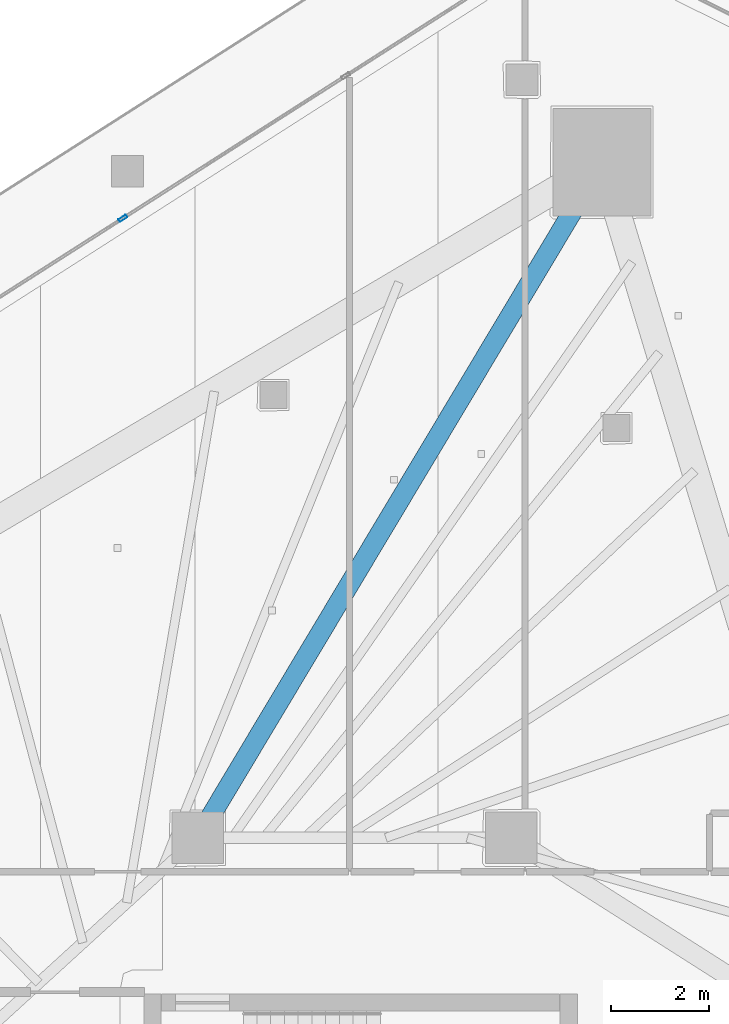
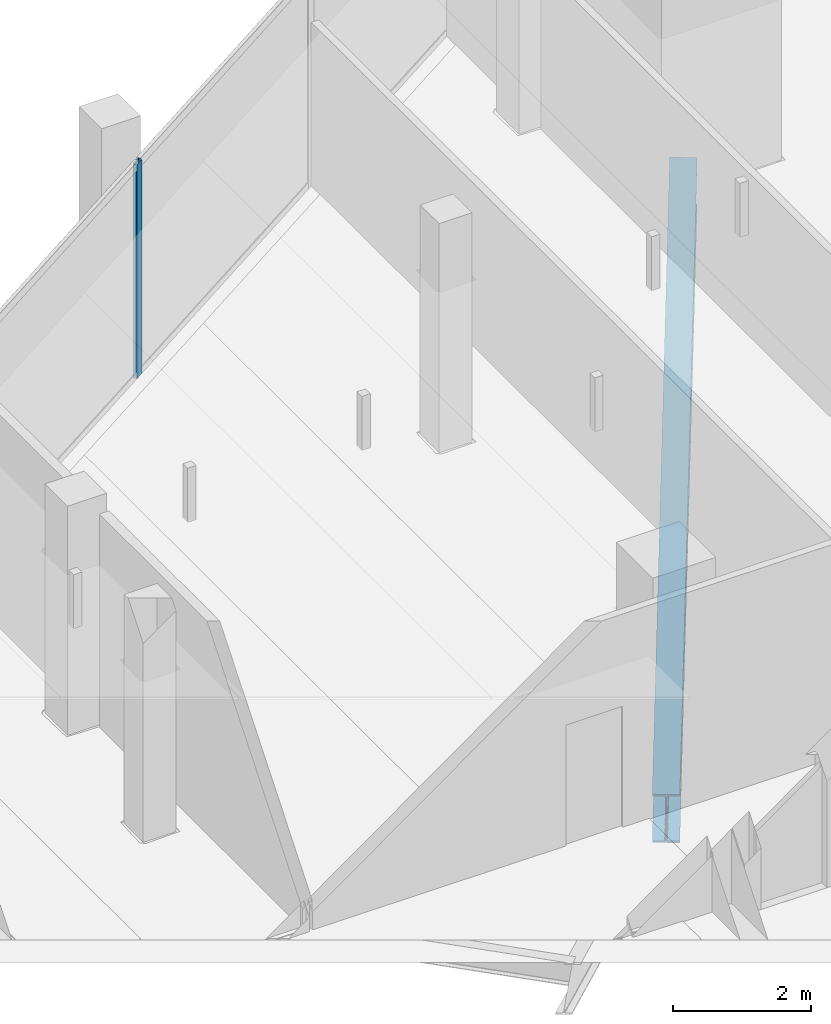
# One storey, part 20 of 38: 1 beam, 1 member, 1 element without a shape of its own.
"""IFC4 building model written with IfcOpenShell, lengths in metres."""

from ifc_helpers import new_model, si_unit, direction, frame, origin, origin_2d, place, context, subcontext, project, spatial, hollow_rectangle, i_section, extrude, material, layer, layer_set, material_profile, profile_set, type_object, element, aggregate, save


model = new_model("IFC4")

# Units and contexts
model_context = context("Model", 3, precision=1e-05, world=origin(), true_north=direction((0.0, 1.0)))
body_context = subcontext(model_context, "Body", "Model", "MODEL_VIEW")
ifc_project = project(units=[si_unit("LENGTHUNIT", "METRE"), si_unit("AREAUNIT", "SQUARE_METRE"), si_unit("VOLUMEUNIT", "CUBIC_METRE"), si_unit("PLANEANGLEUNIT", "RADIAN"), si_unit("MASSUNIT", "GRAM", prefix="KILO")], contexts=[model_context])

# Site, building, storey
site_placement = place(None, origin())
site = spatial("IfcSite", under=ifc_project, at=site_placement, CompositionType="ELEMENT")
building_placement = place(site_placement, origin())
building = spatial("IfcBuilding", under=site, at=building_placement, Name="Qorvath Tower", CompositionType="ELEMENT")
storey_placement = place(building_placement, frame((0.0, 0.0, 146.25)))
storey = spatial("IfcBuildingStorey", under=building, at=storey_placement, Name="L33", CompositionType="ELEMENT", Elevation=146.25)

# Beam
ifc_material_1 = material(Name="Steel ASTM A992 Grade 50", Category="steel")
ifc_material_profile_1 = material_profile(ifc_material_1, i_section(OverallWidth=0.39892578125, OverallDepth=0.85498046875, WebThickness=0.018310546875, FlangeThickness=0.029296875, FilletRadius=0.02001953125, at=origin_2d()), Name="W33x201")
ifc_profile_set_1 = profile_set([ifc_material_profile_1], Name="Steel ASTM A992 Grade 50")
beam_type = type_object("IfcBeamType", Name="BM-FG2", PredefinedType="BEAM", material=ifc_profile_set_1)
beam_placement = place(storey_placement, frame((-23.60009765625, 11.449951171875, -0.697509765625), z_axis=(0.513497213955, 0.85809126045, 0.0), x_axis=(-0.85809126045, 0.513497213955, 0.0)))
element("IfcBeam", 1, at=beam_placement, inside=storey, type_object=beam_type, Name="Radial Floor Girder CC1-MC6 L33", PredefinedType="BEAM", context=body_context, shape_type="SweptSolid", body=[
    extrude(i_section(OverallWidth=0.39892578125, OverallDepth=0.85498046875, WebThickness=0.018310546875, FlangeThickness=0.029296875, FilletRadius=0.02001953125, at=origin_2d()), origin(), (0.0, 0.0, 1.0), 16.07763671875),
])

# Curtain wall, member
ifc_material_2 = material(Name="Anodised aluminium and triple low-E glass", Category="aluminium")
ifc_layer = layer(ifc_material_2, 0.179931640625)
ifc_layer_set = layer_set([ifc_layer], Name="CW-SYS-3")
curtain_wall_type = type_object("IfcCurtainWallType", Name="CW-SYS-3", PredefinedType="NOTDEFINED", material=ifc_layer_set)
curtain_wall_placement = place(storey_placement, origin())
curtain_wall = element("IfcCurtainWall", 2, at=curtain_wall_placement, inside=storey, type_object=curtain_wall_type, Name="Curtain Wall CW-3 CW-T-L33-16.1", PredefinedType="NOTDEFINED")
ifc_material_3 = material(Name="Anodised aluminium 6063-T6", Category="aluminium")
ifc_material_profile_2 = material_profile(ifc_material_3, hollow_rectangle(XDim=0.06494140625, YDim=0.179931640625, WallThickness=0.00341796875, InnerFilletRadius=0.00341796875, OuterFilletRadius=0.007080078125, at=origin_2d()), Name="CWM 180x65")
ifc_profile_set_2 = profile_set([ifc_material_profile_2], Name="Anodised aluminium 6063-T6")
member_type = type_object("IfcMemberType", Name="CWM-180", PredefinedType="MULLION", material=ifc_profile_set_2)
member_placement = place(storey_placement, frame((-25.12939453125, 24.099365234375, 0.0), z_axis=(0.0, 0.0, 1.0), x_axis=(0.53853296968, -0.842604438967, 0.0)))
member = element("IfcMember", 3, at=member_placement, type_object=member_type, Name="CW-3 mullion 3", PredefinedType="MULLION", context=body_context, shape_type="SweptSolid", body=[
    extrude(hollow_rectangle(XDim=0.06494140625, YDim=0.179931640625, WallThickness=0.00341796875, InnerFilletRadius=0.00341796875, OuterFilletRadius=0.007080078125, at=origin_2d()), origin(), (0.0, 0.0, 1.0), 3.780029296875),
])
aggregate(curtain_wall, [member])

save(model, "model.ifc")
